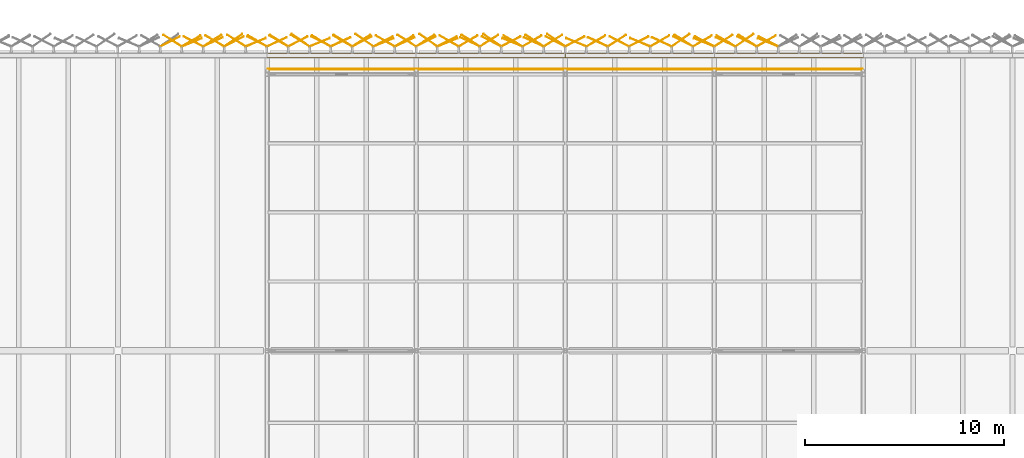
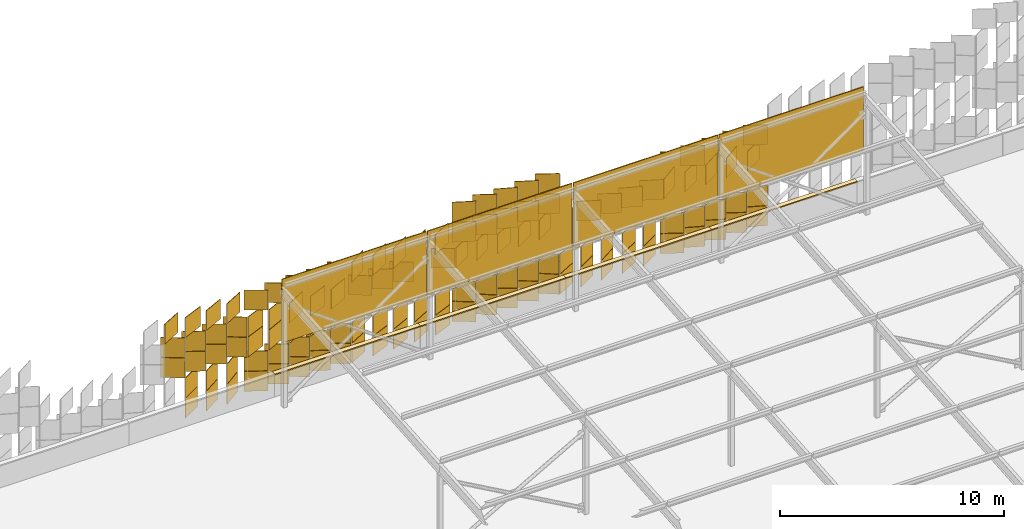
# One storey, part 478 of 483: 151 coverings.
"""IFC4 building model written with IfcOpenShell, lengths in metres."""

from ifc_helpers import new_model, si_unit, direction, frame, origin, origin_2d, place, context, subcontext, project, spatial, polyline, rectangle, outline, extrude, material, layer, layer_set, type_object, element, save


model = new_model("IFC4")

# Units and contexts
model_context = context("Model", 3, precision=1e-05, world=origin(), true_north=direction((0.0, 1.0)))
body_context = subcontext(model_context, "Body", "Model", "MODEL_VIEW")
ifc_project = project(units=[si_unit("LENGTHUNIT", "METRE"), si_unit("AREAUNIT", "SQUARE_METRE"), si_unit("VOLUMEUNIT", "CUBIC_METRE"), si_unit("PLANEANGLEUNIT", "RADIAN"), si_unit("MASSUNIT", "GRAM", prefix="KILO")], contexts=[model_context])

# Site, building, storey
site_placement = place(None, origin())
site = spatial("IfcSite", under=ifc_project, at=site_placement, CompositionType="ELEMENT")
building_placement = place(site_placement, origin())
building = spatial("IfcBuilding", under=site, at=building_placement, Name="Parallax Yard Mobility Hub", CompositionType="ELEMENT")
storey_placement = place(building_placement, frame((0.0, 0.0, 13.199951171875)))
storey = spatial("IfcBuildingStorey", under=building, at=storey_placement, Name="L04", CompositionType="ELEMENT", Elevation=13.199951171875)

# Coverings
ifc_material_1 = material(Name="Concrete fc' 35 MPa", Category="concrete")
ifc_layer_1 = layer(ifc_material_1, 0.06005859375)
ifc_layer_set_1 = layer_set([ifc_layer_1], Name="Parapet coping, Concrete fc' 35 MPa precast, 240")
covering_type_1 = type_object("IfcCoveringType", Name="Parapet coping, Concrete fc' 35 MPa precast, 240", PredefinedType="USERDEFINED", material=ifc_layer_set_1)
covering_1_placement = place(storey_placement, frame((0.0, 0.0, 1.199951171875)))
element("IfcCovering", 1, at=covering_1_placement, inside=storey, type_object=covering_type_1, Name="Parapet coping run 4 part 44", ObjectType="COPING", PredefinedType="USERDEFINED", context=body_context, shape_type="SweptSolid", body=[
    extrude(outline(polyline([(119.999755859375, 142.23388671875), (119.999755859375, 142.47412109375), (112.499755859375, 142.47412109375), (112.499755859375, 142.23388671875), (119.999755859375, 142.23388671875)])), origin(), (0.0, 0.0, 1.0), 0.06005859375),
])
covering_2_placement = place(storey_placement, frame((0.0, 0.0, 1.199951171875)))
element("IfcCovering", 2, at=covering_2_placement, inside=storey, type_object=covering_type_1, Name="Parapet coping run 4 part 45", ObjectType="COPING", PredefinedType="USERDEFINED", context=body_context, shape_type="SweptSolid", body=[
    extrude(outline(polyline([(112.499755859375, 142.23388671875), (112.499755859375, 142.47412109375), (104.999755859375, 142.47412109375), (104.999755859375, 142.23388671875), (112.499755859375, 142.23388671875)])), origin(), (0.0, 0.0, 1.0), 0.06005859375),
])
covering_3_placement = place(storey_placement, frame((0.0, 0.0, 1.199951171875)))
element("IfcCovering", 3, at=covering_3_placement, inside=storey, type_object=covering_type_1, Name="Parapet coping run 4 part 46", ObjectType="COPING", PredefinedType="USERDEFINED", context=body_context, shape_type="SweptSolid", body=[
    extrude(outline(polyline([(104.999755859375, 142.23388671875), (104.999755859375, 142.47412109375), (97.499755859375, 142.47412109375), (97.499755859375, 142.23388671875), (104.999755859375, 142.23388671875)])), origin(), (0.0, 0.0, 1.0), 0.06005859375),
])
covering_4_placement = place(storey_placement, frame((0.0, 0.0, 1.199951171875)))
element("IfcCovering", 4, at=covering_4_placement, inside=storey, type_object=covering_type_1, Name="Parapet coping run 4 part 47", ObjectType="COPING", PredefinedType="USERDEFINED", context=body_context, shape_type="SweptSolid", body=[
    extrude(outline(polyline([(97.499755859375, 142.23388671875), (97.499755859375, 142.47412109375), (89.999755859375, 142.47412109375), (89.999755859375, 142.23388671875), (97.499755859375, 142.23388671875)])), origin(), (0.0, 0.0, 1.0), 0.06005859375),
])
ifc_material_2 = material(Name="Aluminium panel, silver anodised", Category="aluminium")
ifc_layer_2 = layer(ifc_material_2, 0.030029296875)
ifc_layer_set_2 = layer_set([ifc_layer_2], Name="Skin panel 22.5 degree turn, silver anodised")
covering_type_2 = type_object("IfcCoveringType", Name="Skin panel 22.5 degree turn, silver anodised", PredefinedType="CLADDING", material=ifc_layer_set_2)
for number, where, z_axis, x_axis, name in (
    (5, (115.1953125, 143.012939453125, 0.02001953125), (0.0, 0.0, 1.0), (-0.923879532511, 0.382683432365, 0.0), "Skin panel 22.5 bay 58.5 row 1 level L04"),
    (6, (115.1953125, 143.012939453125, 1.1201171875), (0.0, 0.0, 1.0), (-0.923879532511, 0.382683432365, 0.0), "Skin panel 22.5 bay 58.5 row 2 level L04"),
    (7, (111.980712890625, 143.012939453125, 0.02001953125), (0.0, 0.0, 1.0), (-0.923879532511, 0.382683432365, 0.0), "Skin panel 22.5 bay 59.1 row 1 level L04"),
    (8, (111.980712890625, 143.012939453125, 1.1201171875), (0.0, 0.0, 1.0), (-0.923879532511, 0.382683432365, 0.0), "Skin panel 22.5 bay 59.1 row 2 level L04"),
    (9, (108.76611328125, 143.012939453125, 2.219970703125), (0.0, 0.0, 1.0), (-0.923879532511, 0.382683432365, 0.0), "Skin panel 22.5 bay 59.4 row 3 level L04"),
    (10, (108.76611328125, 143.012939453125, 3.320068359375), (0.0, 0.0, 1.0), (-0.923879532511, 0.382683432365, 0.0), "Skin panel 22.5 bay 59.4 row 4 level L04"),
    (11, (105.551513671875, 143.012939453125, 2.219970703125), (0.0, 0.0, 1.0), (-0.923879532511, 0.382683432365, 0.0), "Skin panel 22.5 bay 59.7 row 3 level L04"),
    (12, (105.551513671875, 143.012939453125, 3.320068359375), (0.0, 0.0, 1.0), (-0.923879532511, 0.382683432365, 0.0), "Skin panel 22.5 bay 59.7 row 4 level L04"),
    (13, (102.3369140625, 143.012939453125, 4.419921875), (0.0, 0.0, 1.0), (-0.923879532511, 0.382683432365, 0.0), "Skin panel 22.5 bay 60.3 row 5 level L04"),
    (14, (102.3369140625, 143.012939453125, 5.52001953125), (0.0, 0.0, 1.0), (-0.923879532511, 0.382683432365, 0.0), "Skin panel 22.5 bay 60.3 row 6 level L04"),
    (15, (99.07861328125, 143.012939453125, 0.02001953125), (0.0, 0.0, 1.0), (0.923879532511, 0.382683432365, 0.0), "Skin panel 22.5 bay 60.6 row 1 level L04"),
    (16, (99.07861328125, 143.012939453125, 1.1201171875), (0.0, 0.0, 1.0), (0.923879532511, 0.382683432365, 0.0), "Skin panel 22.5 bay 60.6 row 2 level L04"),
    (17, (95.864013671875, 143.012939453125, 0.02001953125), (0.0, 0.0, 1.0), (0.923879532511, 0.382683432365, 0.0), "Skin panel 22.5 bay 61.2 row 1 level L04"),
    (18, (95.864013671875, 143.012939453125, 1.1201171875), (0.0, 0.0, 1.0), (0.923879532511, 0.382683432365, 0.0), "Skin panel 22.5 bay 61.2 row 2 level L04"),
    (19, (92.649169921875, 143.012939453125, 2.219970703125), (0.0, 0.0, 1.0), (0.923879532511, 0.382683432365, 0.0), "Skin panel 22.5 bay 61.5 row 3 level L04"),
    (20, (92.649169921875, 143.012939453125, 3.320068359375), (0.0, 0.0, 1.0), (0.923879532511, 0.382683432365, 0.0), "Skin panel 22.5 bay 61.5 row 4 level L04"),
    (21, (89.4345703125, 143.012939453125, 2.219970703125), (0.0, 0.0, 1.0), (0.923879532511, 0.382683432365, 0.0), "Skin panel 22.5 bay 62.1 row 3 level L04"),
    (22, (89.4345703125, 143.012939453125, 3.320068359375), (0.0, 0.0, 1.0), (0.923879532511, 0.382683432365, 0.0), "Skin panel 22.5 bay 62.1 row 4 level L04"),
    (23, (86.219970703125, 143.012939453125, 4.419921875), (0.0, 0.0, 1.0), (0.923879532511, 0.382683432365, 0.0), "Skin panel 22.5 bay 62.4 row 5 level L04"),
):
    element("IfcCovering", number, at=place(storey_placement, frame(where, z_axis=z_axis, x_axis=x_axis)), inside=storey, type_object=covering_type_2, Name=name, ObjectType="SCREEN", PredefinedType="CLADDING", context=body_context, shape_type="SweptSolid", body=[
        extrude(rectangle(XDim=1.080078125, YDim=0.030029296875, at=origin_2d()), origin(), (0.0, 0.0, 1.0), 1.080078125),
    ])
ifc_layer_3 = layer(ifc_material_2, 0.030029296875)
ifc_layer_set_3 = layer_set([ifc_layer_3], Name="Skin panel 25 degree turn, silver anodised")
covering_type_3 = type_object("IfcCoveringType", Name="Skin panel 25 degree turn, silver anodised", PredefinedType="CLADDING", material=ifc_layer_set_3)
for number, where, z_axis, x_axis, name in (
    (24, (113.06201171875, 143.03515625, 0.02001953125), (0.0, 0.0, 1.0), (-0.906307787037, 0.422618261741, 0.0), "Skin panel 25 bay 58.7 row 1 level L04"),
    (25, (113.06201171875, 143.03515625, 1.1201171875), (0.0, 0.0, 1.0), (-0.906307787037, 0.422618261741, 0.0), "Skin panel 25 bay 58.7 row 2 level L04"),
    (26, (109.847412109375, 143.03515625, 2.219970703125), (0.0, 0.0, 1.0), (-0.906307787037, 0.422618261741, 0.0), "Skin panel 25 bay 59.3 row 3 level L04"),
    (27, (109.847412109375, 143.03515625, 3.320068359375), (0.0, 0.0, 1.0), (-0.906307787037, 0.422618261741, 0.0), "Skin panel 25 bay 59.3 row 4 level L04"),
    (28, (106.6328125, 143.03515625, 2.219970703125), (0.0, 0.0, 1.0), (-0.906307787037, 0.422618261741, 0.0), "Skin panel 25 bay 59.6 row 3 level L04"),
    (29, (106.6328125, 143.03515625, 3.320068359375), (0.0, 0.0, 1.0), (-0.906307787037, 0.422618261741, 0.0), "Skin panel 25 bay 59.6 row 4 level L04"),
    (30, (103.418212890625, 143.03515625, 4.419921875), (0.0, 0.0, 1.0), (-0.906307787037, 0.422618261741, 0.0), "Skin panel 25 bay 60.2 row 5 level L04"),
    (31, (103.418212890625, 143.03515625, 5.52001953125), (0.0, 0.0, 1.0), (-0.906307787037, 0.422618261741, 0.0), "Skin panel 25 bay 60.2 row 6 level L04"),
    (32, (100.203369140625, 143.03515625, 4.419921875), (0.0, 0.0, 1.0), (-0.906307787037, 0.422618261741, 0.0), "Skin panel 25 bay 60.5 row 5 level L04"),
    (33, (100.203369140625, 143.03515625, 5.52001953125), (0.0, 0.0, 1.0), (-0.906307787037, 0.422618261741, 0.0), "Skin panel 25 bay 60.5 row 6 level L04"),
    (34, (96.92578125, 143.03515625, 0.02001953125), (0.0, 0.0, 1.0), (0.906307787037, 0.422618261741, 0.0), "Skin panel 25 bay 61.1 row 1 level L04"),
    (35, (96.92578125, 143.03515625, 1.1201171875), (0.0, 0.0, 1.0), (0.906307787037, 0.422618261741, 0.0), "Skin panel 25 bay 61.1 row 2 level L04"),
    (36, (93.7109375, 143.03515625, 2.219970703125), (0.0, 0.0, 1.0), (0.906307787037, 0.422618261741, 0.0), "Skin panel 25 bay 61.4 row 3 level L04"),
    (37, (93.7109375, 143.03515625, 3.320068359375), (0.0, 0.0, 1.0), (0.906307787037, 0.422618261741, 0.0), "Skin panel 25 bay 61.4 row 4 level L04"),
    (38, (90.496337890625, 143.03515625, 2.219970703125), (0.0, 0.0, 1.0), (0.906307787037, 0.422618261741, 0.0), "Skin panel 25 bay 61.7 row 3 level L04"),
    (39, (90.496337890625, 143.03515625, 3.320068359375), (0.0, 0.0, 1.0), (0.906307787037, 0.422618261741, 0.0), "Skin panel 25 bay 61.7 row 4 level L04"),
    (40, (87.28173828125, 143.03515625, 4.419921875), (0.0, 0.0, 1.0), (0.906307787037, 0.422618261741, 0.0), "Skin panel 25 bay 62.3 row 5 level L04"),
):
    element("IfcCovering", number, at=place(storey_placement, frame(where, z_axis=z_axis, x_axis=x_axis)), inside=storey, type_object=covering_type_3, Name=name, ObjectType="SCREEN", PredefinedType="CLADDING", context=body_context, shape_type="SweptSolid", body=[
        extrude(rectangle(XDim=1.080078125, YDim=0.030029296875, at=origin_2d()), origin(), (0.0, 0.0, 1.0), 1.080078125),
    ])
ifc_layer_4 = layer(ifc_material_2, 0.030029296875)
ifc_layer_set_4 = layer_set([ifc_layer_4], Name="Skin panel 27.5 degree turn, silver anodised")
covering_type_4 = type_object("IfcCoveringType", Name="Skin panel 27.5 degree turn, silver anodised", PredefinedType="CLADDING", material=ifc_layer_set_4)
for number, where, z_axis, x_axis, name in (
    (41, (115.2158203125, 143.056884765625, 4.419921875), (0.0, 0.0, 1.0), (-0.887010833178, 0.461748613235, 0.0), "Skin panel 27.5 bay 58.5 row 5 level L04"),
    (42, (114.144287109375, 143.056884765625, 0.02001953125), (0.0, 0.0, 1.0), (-0.887010833178, 0.461748613235, 0.0), "Skin panel 27.5 bay 58.6 row 1 level L04"),
    (43, (114.144287109375, 143.056884765625, 1.1201171875), (0.0, 0.0, 1.0), (-0.887010833178, 0.461748613235, 0.0), "Skin panel 27.5 bay 58.6 row 2 level L04"),
    (44, (112.001220703125, 143.056884765625, 4.419921875), (0.0, 0.0, 1.0), (-0.887010833178, 0.461748613235, 0.0), "Skin panel 27.5 bay 59.1 row 5 level L04"),
    (45, (110.9296875, 143.056884765625, 0.02001953125), (0.0, 0.0, 1.0), (-0.887010833178, 0.461748613235, 0.0), "Skin panel 27.5 bay 59.2 row 1 level L04"),
    (46, (110.9296875, 143.056884765625, 1.1201171875), (0.0, 0.0, 1.0), (-0.887010833178, 0.461748613235, 0.0), "Skin panel 27.5 bay 59.2 row 2 level L04"),
    (47, (108.701904296875, 143.056884765625, 0.02001953125), (0.0, 0.0, 1.0), (0.887010833178, 0.461748613235, 0.0), "Skin panel 27.5 bay 59.4 row 1 level L04"),
    (48, (108.701904296875, 143.056884765625, 1.1201171875), (0.0, 0.0, 1.0), (0.887010833178, 0.461748613235, 0.0), "Skin panel 27.5 bay 59.4 row 2 level L04"),
    (49, (107.715087890625, 143.056884765625, 2.219970703125), (0.0, 0.0, 1.0), (-0.887010833178, 0.461748613235, 0.0), "Skin panel 27.5 bay 59.5 row 3 level L04"),
    (50, (107.715087890625, 143.056884765625, 3.320068359375), (0.0, 0.0, 1.0), (-0.887010833178, 0.461748613235, 0.0), "Skin panel 27.5 bay 59.5 row 4 level L04"),
    (51, (105.4873046875, 143.056884765625, 0.02001953125), (0.0, 0.0, 1.0), (0.887010833178, 0.461748613235, 0.0), "Skin panel 27.5 bay 59.7 row 1 level L04"),
    (52, (105.4873046875, 143.056884765625, 1.1201171875), (0.0, 0.0, 1.0), (0.887010833178, 0.461748613235, 0.0), "Skin panel 27.5 bay 59.7 row 2 level L04"),
    (53, (104.50048828125, 143.056884765625, 4.419921875), (0.0, 0.0, 1.0), (-0.887010833178, 0.461748613235, 0.0), "Skin panel 27.5 bay 60.1 row 5 level L04"),
    (54, (104.50048828125, 143.056884765625, 5.52001953125), (0.0, 0.0, 1.0), (-0.887010833178, 0.461748613235, 0.0), "Skin panel 27.5 bay 60.1 row 6 level L04"),
    (55, (102.272705078125, 143.056884765625, 2.219970703125), (0.0, 0.0, 1.0), (0.887010833178, 0.461748613235, 0.0), "Skin panel 27.5 bay 60.3 row 3 level L04"),
    (56, (102.272705078125, 143.056884765625, 3.320068359375), (0.0, 0.0, 1.0), (0.887010833178, 0.461748613235, 0.0), "Skin panel 27.5 bay 60.3 row 4 level L04"),
    (57, (101.28564453125, 143.056884765625, 4.419921875), (0.0, 0.0, 1.0), (-0.887010833178, 0.461748613235, 0.0), "Skin panel 27.5 bay 60.4 row 5 level L04"),
    (58, (101.28564453125, 143.056884765625, 5.52001953125), (0.0, 0.0, 1.0), (-0.887010833178, 0.461748613235, 0.0), "Skin panel 27.5 bay 60.4 row 6 level L04"),
    (59, (99.05810546875, 143.056884765625, 4.419921875), (0.0, 0.0, 1.0), (0.887010833178, 0.461748613235, 0.0), "Skin panel 27.5 bay 60.6 row 5 level L04"),
    (60, (97.986572265625, 143.056884765625, 0.02001953125), (0.0, 0.0, 1.0), (0.887010833178, 0.461748613235, 0.0), "Skin panel 27.5 bay 60.7 row 1 level L04"),
    (61, (97.986572265625, 143.056884765625, 1.1201171875), (0.0, 0.0, 1.0), (0.887010833178, 0.461748613235, 0.0), "Skin panel 27.5 bay 60.7 row 2 level L04"),
    (62, (95.843505859375, 143.056884765625, 4.419921875), (0.0, 0.0, 1.0), (0.887010833178, 0.461748613235, 0.0), "Skin panel 27.5 bay 61.2 row 5 level L04"),
    (63, (94.771728515625, 143.056884765625, 0.02001953125), (0.0, 0.0, 1.0), (0.887010833178, 0.461748613235, 0.0), "Skin panel 27.5 bay 61.3 row 1 level L04"),
    (64, (94.771728515625, 143.056884765625, 1.1201171875), (0.0, 0.0, 1.0), (0.887010833178, 0.461748613235, 0.0), "Skin panel 27.5 bay 61.3 row 2 level L04"),
    (65, (92.71337890625, 143.056884765625, 0.02001953125), (0.0, 0.0, 1.0), (-0.887010833178, 0.461748613235, 0.0), "Skin panel 27.5 bay 61.5 row 1 level L04"),
    (66, (92.71337890625, 143.056884765625, 1.1201171875), (0.0, 0.0, 1.0), (-0.887010833178, 0.461748613235, 0.0), "Skin panel 27.5 bay 61.5 row 2 level L04"),
    (67, (91.55712890625, 143.056884765625, 2.219970703125), (0.0, 0.0, 1.0), (0.887010833178, 0.461748613235, 0.0), "Skin panel 27.5 bay 61.6 row 3 level L04"),
    (68, (91.55712890625, 143.056884765625, 3.320068359375), (0.0, 0.0, 1.0), (0.887010833178, 0.461748613235, 0.0), "Skin panel 27.5 bay 61.6 row 4 level L04"),
    (69, (89.49853515625, 143.056884765625, 0.02001953125), (0.0, 0.0, 1.0), (-0.887010833178, 0.461748613235, 0.0), "Skin panel 27.5 bay 62.1 row 1 level L04"),
    (70, (89.49853515625, 143.056884765625, 1.1201171875), (0.0, 0.0, 1.0), (-0.887010833178, 0.461748613235, 0.0), "Skin panel 27.5 bay 62.1 row 2 level L04"),
    (71, (88.342529296875, 143.056884765625, 4.419921875), (0.0, 0.0, 1.0), (0.887010833178, 0.461748613235, 0.0), "Skin panel 27.5 bay 62.2 row 5 level L04"),
    (72, (86.283935546875, 143.056884765625, 2.219970703125), (0.0, 0.0, 1.0), (-0.887010833178, 0.461748613235, 0.0), "Skin panel 27.5 bay 62.4 row 3 level L04"),
    (73, (86.283935546875, 143.056884765625, 3.320068359375), (0.0, 0.0, 1.0), (-0.887010833178, 0.461748613235, 0.0), "Skin panel 27.5 bay 62.4 row 4 level L04"),
    (74, (85.127685546875, 143.056884765625, 4.419921875), (0.0, 0.0, 1.0), (0.887010833178, 0.461748613235, 0.0), "Skin panel 27.5 bay 62.5 row 5 level L04"),
):
    element("IfcCovering", number, at=place(storey_placement, frame(where, z_axis=z_axis, x_axis=x_axis)), inside=storey, type_object=covering_type_4, Name=name, ObjectType="SCREEN", PredefinedType="CLADDING", context=body_context, shape_type="SweptSolid", body=[
        extrude(rectangle(XDim=1.080078125, YDim=0.030029296875, at=origin_2d()), origin(), (0.0, 0.0, 1.0), 1.080078125),
    ])
ifc_layer_5 = layer(ifc_material_2, 0.030029296875)
ifc_layer_set_5 = layer_set([ifc_layer_5], Name="Skin panel 30 degree turn, silver anodised")
covering_type_5 = type_object("IfcCoveringType", Name="Skin panel 30 degree turn, silver anodised", PredefinedType="CLADDING", material=ifc_layer_set_5)
for number, where, z_axis, x_axis, name in (
    (75, (115.11962890625, 143.078125, 2.219970703125), (0.0, 0.0, 1.0), (0.866025403784, 0.5, 0.0), "Skin panel 30 bay 58.5 row 3 level L04"),
    (76, (115.11962890625, 143.078125, 3.320068359375), (0.0, 0.0, 1.0), (0.866025403784, 0.5, 0.0), "Skin panel 30 bay 58.5 row 4 level L04"),
    (77, (113.08447265625, 143.078125, 4.419921875), (0.0, 0.0, 1.0), (-0.866025403784, 0.5, 0.0), "Skin panel 30 bay 58.7 row 5 level L04"),
    (78, (111.905029296875, 143.078125, 2.219970703125), (0.0, 0.0, 1.0), (0.866025403784, 0.5, 0.0), "Skin panel 30 bay 59.1 row 3 level L04"),
    (79, (111.905029296875, 143.078125, 3.320068359375), (0.0, 0.0, 1.0), (0.866025403784, 0.5, 0.0), "Skin panel 30 bay 59.1 row 4 level L04"),
    (80, (109.761962890625, 143.078125, 0.02001953125), (0.0, 0.0, 1.0), (0.866025403784, 0.5, 0.0), "Skin panel 30 bay 59.3 row 1 level L04"),
    (81, (109.761962890625, 143.078125, 1.1201171875), (0.0, 0.0, 1.0), (0.866025403784, 0.5, 0.0), "Skin panel 30 bay 59.3 row 2 level L04"),
    (82, (106.547119140625, 143.078125, 0.02001953125), (0.0, 0.0, 1.0), (0.866025403784, 0.5, 0.0), "Skin panel 30 bay 59.6 row 1 level L04"),
    (83, (106.547119140625, 143.078125, 1.1201171875), (0.0, 0.0, 1.0), (0.866025403784, 0.5, 0.0), "Skin panel 30 bay 59.6 row 2 level L04"),
    (84, (103.33251953125, 143.078125, 2.219970703125), (0.0, 0.0, 1.0), (0.866025403784, 0.5, 0.0), "Skin panel 30 bay 60.2 row 3 level L04"),
    (85, (103.33251953125, 143.078125, 3.320068359375), (0.0, 0.0, 1.0), (0.866025403784, 0.5, 0.0), "Skin panel 30 bay 60.2 row 4 level L04"),
    (86, (102.368896484375, 143.078125, 0.02001953125), (0.0, 0.0, 1.0), (-0.866025403784, 0.5, 0.0), "Skin panel 30 bay 60.3 row 1 level L04"),
    (87, (102.368896484375, 143.078125, 1.1201171875), (0.0, 0.0, 1.0), (-0.866025403784, 0.5, 0.0), "Skin panel 30 bay 60.3 row 2 level L04"),
    (88, (100.117919921875, 143.078125, 2.219970703125), (0.0, 0.0, 1.0), (0.866025403784, 0.5, 0.0), "Skin panel 30 bay 60.5 row 3 level L04"),
    (89, (100.117919921875, 143.078125, 3.320068359375), (0.0, 0.0, 1.0), (0.866025403784, 0.5, 0.0), "Skin panel 30 bay 60.5 row 4 level L04"),
    (90, (99.154296875, 143.078125, 2.219970703125), (0.0, 0.0, 1.0), (-0.866025403784, 0.5, 0.0), "Skin panel 30 bay 60.6 row 3 level L04"),
    (91, (99.154296875, 143.078125, 3.320068359375), (0.0, 0.0, 1.0), (-0.866025403784, 0.5, 0.0), "Skin panel 30 bay 60.6 row 4 level L04"),
    (92, (96.9033203125, 143.078125, 4.419921875), (0.0, 0.0, 1.0), (0.866025403784, 0.5, 0.0), "Skin panel 30 bay 61.1 row 5 level L04"),
    (93, (95.939697265625, 143.078125, 2.219970703125), (0.0, 0.0, 1.0), (-0.866025403784, 0.5, 0.0), "Skin panel 30 bay 61.2 row 3 level L04"),
    (94, (95.939697265625, 143.078125, 3.320068359375), (0.0, 0.0, 1.0), (-0.866025403784, 0.5, 0.0), "Skin panel 30 bay 61.2 row 4 level L04"),
    (95, (93.79638671875, 143.078125, 0.02001953125), (0.0, 0.0, 1.0), (-0.866025403784, 0.5, 0.0), "Skin panel 30 bay 61.4 row 1 level L04"),
    (96, (93.79638671875, 143.078125, 1.1201171875), (0.0, 0.0, 1.0), (-0.866025403784, 0.5, 0.0), "Skin panel 30 bay 61.4 row 2 level L04"),
    (97, (92.72509765625, 143.078125, 4.419921875), (0.0, 0.0, 1.0), (-0.866025403784, 0.5, 0.0), "Skin panel 30 bay 61.5 row 5 level L04"),
    (98, (90.581787109375, 143.078125, 0.02001953125), (0.0, 0.0, 1.0), (-0.866025403784, 0.5, 0.0), "Skin panel 30 bay 61.7 row 1 level L04"),
    (99, (90.581787109375, 143.078125, 1.1201171875), (0.0, 0.0, 1.0), (-0.866025403784, 0.5, 0.0), "Skin panel 30 bay 61.7 row 2 level L04"),
    (100, (89.51025390625, 143.078125, 4.419921875), (0.0, 0.0, 1.0), (-0.866025403784, 0.5, 0.0), "Skin panel 30 bay 62.1 row 5 level L04"),
    (101, (87.3671875, 143.078125, 2.219970703125), (0.0, 0.0, 1.0), (-0.866025403784, 0.5, 0.0), "Skin panel 30 bay 62.3 row 3 level L04"),
    (102, (87.3671875, 143.078125, 3.320068359375), (0.0, 0.0, 1.0), (-0.866025403784, 0.5, 0.0), "Skin panel 30 bay 62.3 row 4 level L04"),
    (103, (86.187744140625, 143.078125, 0.02001953125), (0.0, 0.0, 1.0), (0.866025403784, 0.5, 0.0), "Skin panel 30 bay 62.4 row 1 level L04"),
    (104, (86.187744140625, 143.078125, 1.1201171875), (0.0, 0.0, 1.0), (0.866025403784, 0.5, 0.0), "Skin panel 30 bay 62.4 row 2 level L04"),
):
    element("IfcCovering", number, at=place(storey_placement, frame(where, z_axis=z_axis, x_axis=x_axis)), inside=storey, type_object=covering_type_5, Name=name, ObjectType="SCREEN", PredefinedType="CLADDING", context=body_context, shape_type="SweptSolid", body=[
        extrude(rectangle(XDim=1.080078125, YDim=0.030029296875, at=origin_2d()), origin(), (0.0, 0.0, 1.0), 1.080078125),
    ])
ifc_layer_6 = layer(ifc_material_2, 0.030029296875)
ifc_layer_set_6 = layer_set([ifc_layer_6], Name="Skin panel 32.5 degree turn, silver anodised")
covering_type_6 = type_object("IfcCoveringType", Name="Skin panel 32.5 degree turn, silver anodised", PredefinedType="CLADDING", material=ifc_layer_set_6)
for number, where, z_axis, x_axis, name in (
    (105, (114.168701171875, 143.098876953125, 4.419921875), (0.0, 0.0, 1.0), (-0.843391445813, 0.537299608347, 0.0), "Skin panel 32.5 bay 58.6 row 5 level L04"),
    (106, (112.964111328125, 143.098876953125, 2.219970703125), (0.0, 0.0, 1.0), (0.843391445813, 0.537299608347, 0.0), "Skin panel 32.5 bay 58.7 row 3 level L04"),
    (107, (112.964111328125, 143.098876953125, 3.320068359375), (0.0, 0.0, 1.0), (0.843391445813, 0.537299608347, 0.0), "Skin panel 32.5 bay 58.7 row 4 level L04"),
    (108, (110.9541015625, 143.098876953125, 4.419921875), (0.0, 0.0, 1.0), (-0.843391445813, 0.537299608347, 0.0), "Skin panel 32.5 bay 59.2 row 5 level L04"),
    (109, (107.606201171875, 143.098876953125, 0.02001953125), (0.0, 0.0, 1.0), (0.843391445813, 0.537299608347, 0.0), "Skin panel 32.5 bay 59.5 row 1 level L04"),
    (110, (107.606201171875, 143.098876953125, 1.1201171875), (0.0, 0.0, 1.0), (0.843391445813, 0.537299608347, 0.0), "Skin panel 32.5 bay 59.5 row 2 level L04"),
    (111, (104.3916015625, 143.098876953125, 2.219970703125), (0.0, 0.0, 1.0), (0.843391445813, 0.537299608347, 0.0), "Skin panel 32.5 bay 60.1 row 3 level L04"),
    (112, (104.3916015625, 143.098876953125, 3.320068359375), (0.0, 0.0, 1.0), (0.843391445813, 0.537299608347, 0.0), "Skin panel 32.5 bay 60.1 row 4 level L04"),
    (113, (103.453125, 143.098876953125, 0.02001953125), (0.0, 0.0, 1.0), (-0.843391445813, 0.537299608347, 0.0), "Skin panel 32.5 bay 60.2 row 1 level L04"),
    (114, (103.453125, 143.098876953125, 1.1201171875), (0.0, 0.0, 1.0), (-0.843391445813, 0.537299608347, 0.0), "Skin panel 32.5 bay 60.2 row 2 level L04"),
    (115, (101.177001953125, 143.098876953125, 2.219970703125), (0.0, 0.0, 1.0), (0.843391445813, 0.537299608347, 0.0), "Skin panel 32.5 bay 60.4 row 3 level L04"),
    (116, (101.177001953125, 143.098876953125, 3.320068359375), (0.0, 0.0, 1.0), (0.843391445813, 0.537299608347, 0.0), "Skin panel 32.5 bay 60.4 row 4 level L04"),
    (117, (100.23828125, 143.098876953125, 0.02001953125), (0.0, 0.0, 1.0), (-0.843391445813, 0.537299608347, 0.0), "Skin panel 32.5 bay 60.5 row 1 level L04"),
    (118, (100.23828125, 143.098876953125, 1.1201171875), (0.0, 0.0, 1.0), (-0.843391445813, 0.537299608347, 0.0), "Skin panel 32.5 bay 60.5 row 2 level L04"),
    (119, (97.962158203125, 143.098876953125, 4.419921875), (0.0, 0.0, 1.0), (0.843391445813, 0.537299608347, 0.0), "Skin panel 32.5 bay 60.7 row 5 level L04"),
    (120, (97.023681640625, 143.098876953125, 2.219970703125), (0.0, 0.0, 1.0), (-0.843391445813, 0.537299608347, 0.0), "Skin panel 32.5 bay 61.1 row 3 level L04"),
    (121, (97.023681640625, 143.098876953125, 3.320068359375), (0.0, 0.0, 1.0), (-0.843391445813, 0.537299608347, 0.0), "Skin panel 32.5 bay 61.1 row 4 level L04"),
    (122, (94.74755859375, 143.098876953125, 4.419921875), (0.0, 0.0, 1.0), (0.843391445813, 0.537299608347, 0.0), "Skin panel 32.5 bay 61.3 row 5 level L04"),
    (123, (93.80908203125, 143.098876953125, 4.419921875), (0.0, 0.0, 1.0), (-0.843391445813, 0.537299608347, 0.0), "Skin panel 32.5 bay 61.4 row 5 level L04"),
    (124, (91.666015625, 143.098876953125, 0.02001953125), (0.0, 0.0, 1.0), (-0.843391445813, 0.537299608347, 0.0), "Skin panel 32.5 bay 61.6 row 1 level L04"),
    (125, (91.666015625, 143.098876953125, 1.1201171875), (0.0, 0.0, 1.0), (-0.843391445813, 0.537299608347, 0.0), "Skin panel 32.5 bay 61.6 row 2 level L04"),
    (126, (90.594482421875, 143.098876953125, 4.419921875), (0.0, 0.0, 1.0), (-0.843391445813, 0.537299608347, 0.0), "Skin panel 32.5 bay 61.7 row 5 level L04"),
    (127, (88.451416015625, 143.098876953125, 2.219970703125), (0.0, 0.0, 1.0), (-0.843391445813, 0.537299608347, 0.0), "Skin panel 32.5 bay 62.2 row 3 level L04"),
    (128, (88.451416015625, 143.098876953125, 3.320068359375), (0.0, 0.0, 1.0), (-0.843391445813, 0.537299608347, 0.0), "Skin panel 32.5 bay 62.2 row 4 level L04"),
    (129, (87.24658203125, 143.098876953125, 0.02001953125), (0.0, 0.0, 1.0), (0.843391445813, 0.537299608347, 0.0), "Skin panel 32.5 bay 62.3 row 1 level L04"),
    (130, (87.24658203125, 143.098876953125, 1.1201171875), (0.0, 0.0, 1.0), (0.843391445813, 0.537299608347, 0.0), "Skin panel 32.5 bay 62.3 row 2 level L04"),
    (131, (85.23681640625, 143.098876953125, 2.219970703125), (0.0, 0.0, 1.0), (-0.843391445813, 0.537299608347, 0.0), "Skin panel 32.5 bay 62.5 row 3 level L04"),
    (132, (85.23681640625, 143.098876953125, 3.320068359375), (0.0, 0.0, 1.0), (-0.843391445813, 0.537299608347, 0.0), "Skin panel 32.5 bay 62.5 row 4 level L04"),
):
    element("IfcCovering", number, at=place(storey_placement, frame(where, z_axis=z_axis, x_axis=x_axis)), inside=storey, type_object=covering_type_6, Name=name, ObjectType="SCREEN", PredefinedType="CLADDING", context=body_context, shape_type="SweptSolid", body=[
        extrude(rectangle(XDim=1.080078125, YDim=0.030029296875, at=origin_2d()), origin(), (0.0, 0.0, 1.0), 1.080078125),
    ])
ifc_layer_7 = layer(ifc_material_2, 0.030029296875)
ifc_layer_set_7 = layer_set([ifc_layer_7], Name="Skin panel 35 degree turn, silver anodised")
covering_type_7 = type_object("IfcCoveringType", Name="Skin panel 35 degree turn, silver anodised", PredefinedType="CLADDING", material=ifc_layer_set_7)
for number, where, z_axis, x_axis, name in (
    (133, (114.022216796875, 143.119140625, 2.219970703125), (0.0, 0.0, 1.0), (0.819152044289, 0.573576436351, 0.0), "Skin panel 35 bay 58.6 row 3 level L04"),
    (134, (114.022216796875, 143.119140625, 3.320068359375), (0.0, 0.0, 1.0), (0.819152044289, 0.573576436351, 0.0), "Skin panel 35 bay 58.6 row 4 level L04"),
    (135, (110.807373046875, 143.119140625, 2.219970703125), (0.0, 0.0, 1.0), (0.819152044289, 0.573576436351, 0.0), "Skin panel 35 bay 59.2 row 3 level L04"),
    (136, (110.807373046875, 143.119140625, 3.320068359375), (0.0, 0.0, 1.0), (0.819152044289, 0.573576436351, 0.0), "Skin panel 35 bay 59.2 row 4 level L04"),
    (137, (104.5380859375, 143.119140625, 0.02001953125), (0.0, 0.0, 1.0), (-0.819152044289, 0.573576436351, 0.0), "Skin panel 35 bay 60.1 row 1 level L04"),
    (138, (104.5380859375, 143.119140625, 1.1201171875), (0.0, 0.0, 1.0), (-0.819152044289, 0.573576436351, 0.0), "Skin panel 35 bay 60.1 row 2 level L04"),
    (139, (101.323486328125, 143.119140625, 0.02001953125), (0.0, 0.0, 1.0), (-0.819152044289, 0.573576436351, 0.0), "Skin panel 35 bay 60.4 row 1 level L04"),
    (140, (101.323486328125, 143.119140625, 1.1201171875), (0.0, 0.0, 1.0), (-0.819152044289, 0.573576436351, 0.0), "Skin panel 35 bay 60.4 row 2 level L04"),
    (141, (98.10888671875, 143.119140625, 2.219970703125), (0.0, 0.0, 1.0), (-0.819152044289, 0.573576436351, 0.0), "Skin panel 35 bay 60.7 row 3 level L04"),
    (142, (98.10888671875, 143.119140625, 3.320068359375), (0.0, 0.0, 1.0), (-0.819152044289, 0.573576436351, 0.0), "Skin panel 35 bay 60.7 row 4 level L04"),
    (143, (94.89404296875, 143.119140625, 2.219970703125), (0.0, 0.0, 1.0), (-0.819152044289, 0.573576436351, 0.0), "Skin panel 35 bay 61.3 row 3 level L04"),
    (144, (94.89404296875, 143.119140625, 3.320068359375), (0.0, 0.0, 1.0), (-0.819152044289, 0.573576436351, 0.0), "Skin panel 35 bay 61.3 row 4 level L04"),
    (145, (91.679443359375, 143.119140625, 4.419921875), (0.0, 0.0, 1.0), (-0.819152044289, 0.573576436351, 0.0), "Skin panel 35 bay 61.6 row 5 level L04"),
    (146, (88.3046875, 143.119140625, 0.02001953125), (0.0, 0.0, 1.0), (0.819152044289, 0.573576436351, 0.0), "Skin panel 35 bay 62.2 row 1 level L04"),
    (147, (88.3046875, 143.119140625, 1.1201171875), (0.0, 0.0, 1.0), (0.819152044289, 0.573576436351, 0.0), "Skin panel 35 bay 62.2 row 2 level L04"),
):
    element("IfcCovering", number, at=place(storey_placement, frame(where, z_axis=z_axis, x_axis=x_axis)), inside=storey, type_object=covering_type_7, Name=name, ObjectType="SCREEN", PredefinedType="CLADDING", context=body_context, shape_type="SweptSolid", body=[
        extrude(rectangle(XDim=1.080078125, YDim=0.030029296875, at=origin_2d()), origin(), (0.0, 0.0, 1.0), 1.080078125),
    ])
ifc_material_3 = material(Name="Anodised aluminium louvre panel", Category="aluminium")
ifc_layer_8 = layer(ifc_material_3, 0.050048828125)
ifc_layer_set_8 = layer_set([ifc_layer_8], Name="Storm valance louvre panel 50")
covering_type_8 = type_object("IfcCoveringType", Name="Storm valance louvre panel 50", PredefinedType="CLADDING", material=ifc_layer_set_8)
covering_5_placement = place(storey_placement, frame((0.0, 0.0, 3.300048828125)))
element("IfcCovering", 148, at=covering_5_placement, inside=storey, type_object=covering_type_8, Name="Storm valance sector N-B bay 1", PredefinedType="CLADDING", context=body_context, shape_type="SweptSolid", body=[
    extrude(outline(polyline([(90.030029296875, 141.639892578125), (97.469970703125, 141.639892578125), (97.469970703125, 141.68994140625), (90.030029296875, 141.68994140625), (90.030029296875, 141.639892578125)])), origin(), (0.0, 0.0, 1.0), 3.46630859375),
])
covering_6_placement = place(storey_placement, frame((0.0, 0.0, 3.300048828125)))
element("IfcCovering", 149, at=covering_6_placement, inside=storey, type_object=covering_type_8, Name="Storm valance sector N-B bay 2", PredefinedType="CLADDING", context=body_context, shape_type="SweptSolid", body=[
    extrude(outline(polyline([(97.530029296875, 141.639892578125), (104.969970703125, 141.639892578125), (104.969970703125, 141.68994140625), (97.530029296875, 141.68994140625), (97.530029296875, 141.639892578125)])), origin(), (0.0, 0.0, 1.0), 3.46630859375),
])
covering_7_placement = place(storey_placement, frame((0.0, 0.0, 3.300048828125)))
element("IfcCovering", 150, at=covering_7_placement, inside=storey, type_object=covering_type_8, Name="Storm valance sector N-B bay 3", PredefinedType="CLADDING", context=body_context, shape_type="SweptSolid", body=[
    extrude(outline(polyline([(105.030029296875, 141.639892578125), (112.469970703125, 141.639892578125), (112.469970703125, 141.68994140625), (105.030029296875, 141.68994140625), (105.030029296875, 141.639892578125)])), origin(), (0.0, 0.0, 1.0), 3.46630859375),
])
covering_8_placement = place(storey_placement, frame((0.0, 0.0, 3.300048828125)))
element("IfcCovering", 151, at=covering_8_placement, inside=storey, type_object=covering_type_8, Name="Storm valance sector N-B bay 4", PredefinedType="CLADDING", context=body_context, shape_type="SweptSolid", body=[
    extrude(outline(polyline([(112.530029296875, 141.639892578125), (119.969970703125, 141.639892578125), (119.969970703125, 141.68994140625), (112.530029296875, 141.68994140625), (112.530029296875, 141.639892578125)])), origin(), (0.0, 0.0, 1.0), 3.46630859375),
])

save(model, "model.ifc")
